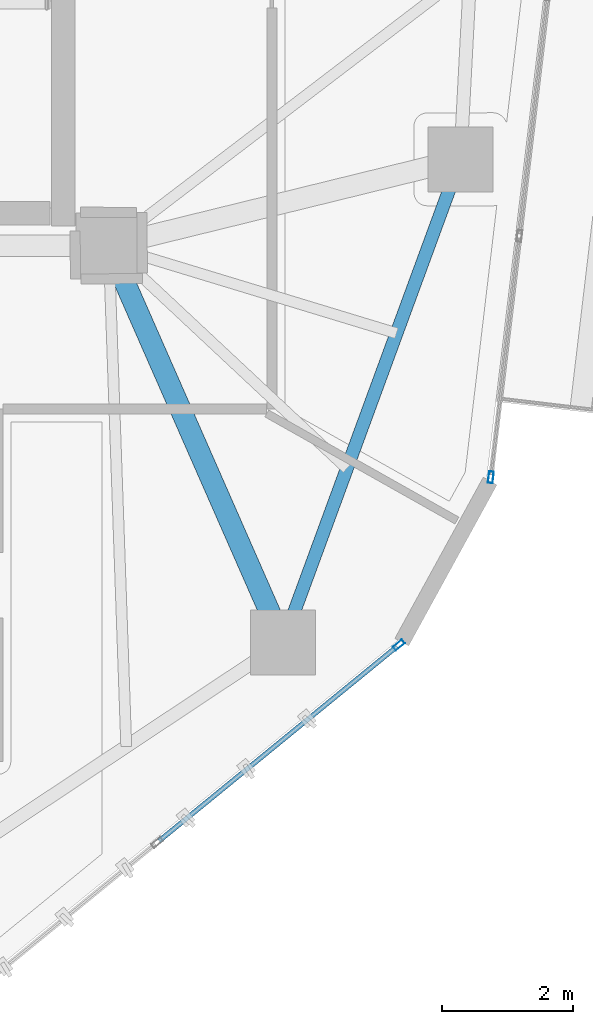
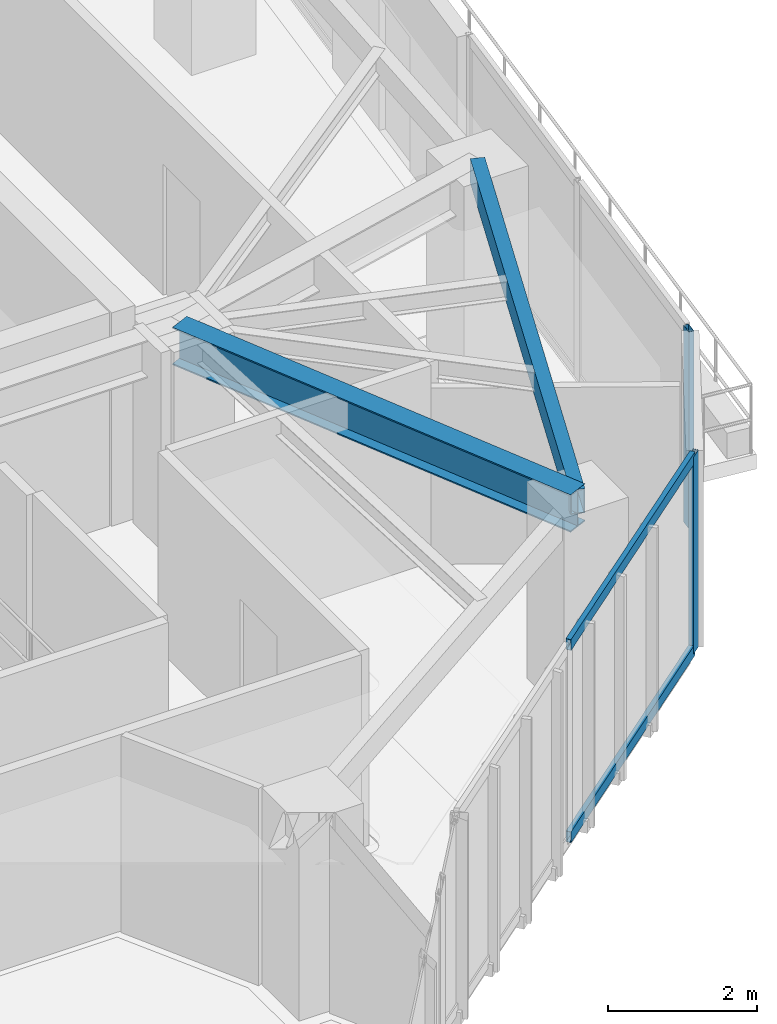
# One storey, part 7 of 22: 4 members, 2 beams, 2 elements without a shape of their own.
"""IFC4 building model written with IfcOpenShell, lengths in metres."""

import ifcopenshell
import ifcopenshell.guid

model = None  # the IFC model being written
_history = None  # IfcOwnerHistory: only IFC2X3 demands one
_inside = {}  # id of a spatial element -> (the spatial element, [elements in it])
_under = {}  # id of a project, library or spatial element -> (it, [spatial elements below it])
_declared = {}  # id of a project -> (the project, [libraries it declares])
_typed = {}  # id of a type object -> (the type object, [elements of that type])
_made_of = {}  # id of a material, layer set ... -> (it, [elements and type objects made of it])


def new_model(schema):
    """Start an empty IFC model of exactly this schema.

    Asked for "IFC4X3", IfcOpenShell would pick the latest addendum, in which some entities
    have other attributes; the version numbers below select the first issue.
    IFC2X3 requires an IfcOwnerHistory on every rooted entity: one is made here for all.
    """
    global model, _history
    if schema == "IFC4X3":
        model = ifcopenshell.file(schema_version=(4, 3, 0, 0))
    else:
        model = ifcopenshell.file(schema=schema)
    _inside.clear()
    _under.clear()
    _declared.clear()
    _typed.clear()
    _made_of.clear()
    _history = None
    if model.schema == "IFC2X3":
        org = make("IfcOrganization", Name="unknown")
        user = make(
            "IfcPersonAndOrganization",
            ThePerson=make("IfcPerson", FamilyName="unknown"),
            TheOrganization=org,
        )
        app = make(
            "IfcApplication",
            ApplicationDeveloper=org,
            Version="unknown",
            ApplicationFullName="unknown",
            ApplicationIdentifier="unknown",
        )
        _history = make(
            "IfcOwnerHistory",
            OwningUser=user,
            OwningApplication=app,
            ChangeAction="ADDED",
            CreationDate=0,
        )
    return model


def make(cls, **values):
    """One entity of the class cls with the attributes given. An attribute that is None is left unset."""
    return model.create_entity(
        cls, **{name: value for name, value in values.items() if value is not None}
    )


def rooted(cls, **values):
    """An entity with a GlobalId (a new one), such as an element, a storey or a relation."""
    return make(cls, GlobalId=ifcopenshell.guid.new(), OwnerHistory=_history, **values)


def si_unit(unit_type, name, prefix=None):
    """IfcSIUnit, for example si_unit("LENGTHUNIT", "METRE", prefix="MILLI")."""
    return make("IfcSIUnit", UnitType=unit_type, Prefix=prefix, Name=name)


def assignment(units):
    """IfcUnitAssignment: the units of a project."""
    return None if units is None else make("IfcUnitAssignment", Units=units)


def point(xyz):
    """IfcCartesianPoint."""
    return None if xyz is None else make("IfcCartesianPoint", Coordinates=xyz)


def direction(xyz):
    """IfcDirection."""
    return None if xyz is None else make("IfcDirection", DirectionRatios=xyz)


def frame(location, z_axis=None, x_axis=None):
    """IfcAxis2Placement3D, a coordinate frame: its origin and axes. An axis left out is left unset."""
    return make(
        "IfcAxis2Placement3D",
        Location=point(location),
        Axis=direction(z_axis),
        RefDirection=direction(x_axis),
    )


def frame_2d(location, x_axis=None):
    """IfcAxis2Placement2D, a coordinate frame in the plane: its origin and x axis."""
    return make(
        "IfcAxis2Placement2D", Location=point(location), RefDirection=direction(x_axis)
    )


def origin():
    """The frame at (0, 0, 0) with its axes left unset."""
    return frame((0.0, 0.0, 0.0))


def origin_2d():
    """The frame at (0, 0) in the plane with its x axis left unset."""
    return frame_2d((0.0, 0.0))


def place(relative_to, where):
    """IfcLocalPlacement: puts the frame where relative to a parent placement (None: the world)."""
    return make(
        "IfcLocalPlacement", PlacementRelTo=relative_to, RelativePlacement=where
    )


def context(
    kind, dimensions, precision=None, world=None, true_north=None, identifier=None
):
    """IfcGeometricRepresentationContext, for example the 3D "Model" context."""
    return make(
        "IfcGeometricRepresentationContext",
        ContextIdentifier=identifier,
        ContextType=kind,
        CoordinateSpaceDimension=dimensions,
        Precision=precision,
        WorldCoordinateSystem=world,
        TrueNorth=true_north,
    )


def subcontext(parent, identifier, kind, view, scale=None):
    """IfcGeometricRepresentationSubContext, for example "Body" below "Model"."""
    return make(
        "IfcGeometricRepresentationSubContext",
        ContextIdentifier=identifier,
        ContextType=kind,
        ParentContext=parent,
        TargetScale=scale,
        TargetView=view,
    )


def project(units=None, contexts=None):
    """IfcProject with its units and contexts."""
    return rooted(
        "IfcProject",
        Name="project",
        RepresentationContexts=contexts,
        UnitsInContext=assignment(units),
    )


def spatial(cls, under=None, at=None, **own):
    """A site, building, storey or space (cls), placed at a placement, below another one or the project."""
    s = rooted(cls, ObjectPlacement=at, **own)
    if under is not None:
        _under.setdefault(under.id(), (under, []))[1].append(s)
    return s


def profile(cls, at=None, kind="AREA", **sizes):
    """A parametric profile (cls). Its sizes go by their IFC names, for example OverallWidth=200.0."""
    return make(cls, ProfileType=kind, Position=at, **sizes)


def hollow_rectangle(**sizes):
    """IfcRectangleHollowProfileDef."""
    return profile("IfcRectangleHollowProfileDef", **sizes)


def i_section(**sizes):
    """IfcIShapeProfileDef."""
    return profile("IfcIShapeProfileDef", **sizes)


def extrude(swept, where, along, depth):
    """IfcExtrudedAreaSolid: the profile swept, set in the frame where, extruded along a direction by depth."""
    return make(
        "IfcExtrudedAreaSolid",
        SweptArea=swept,
        Position=where,
        ExtrudedDirection=direction(along),
        Depth=depth,
    )


def shape(context_of_items, identifier, shape_type, items):
    """IfcShapeRepresentation: the items that make up one representation, for example the "Body"."""
    return make(
        "IfcShapeRepresentation",
        ContextOfItems=context_of_items,
        RepresentationIdentifier=identifier,
        RepresentationType=shape_type,
        Items=items,
    )


def source(mapping_origin, context_of_items, identifier, shape_type, items):
    """IfcRepresentationMap: a shape defined once, which mapped items show again and again."""
    return make(
        "IfcRepresentationMap",
        MappingOrigin=mapping_origin,
        MappedRepresentation=shape(context_of_items, identifier, shape_type, items),
    )


def transform(
    local_origin,
    x_axis=None,
    y_axis=None,
    z_axis=None,
    scale=None,
    scale2=None,
    scale3=None,
    uniform=True,
):
    """IfcCartesianTransformationOperator3D, or its non-uniform kind. x_axis, y_axis, z_axis: its Axis1, 2, 3."""
    if uniform:
        return make(
            "IfcCartesianTransformationOperator3D",
            Axis1=direction(x_axis),
            Axis2=direction(y_axis),
            LocalOrigin=point(local_origin),
            Scale=scale,
            Axis3=direction(z_axis),
        )
    return make(
        "IfcCartesianTransformationOperator3DnonUniform",
        Axis1=direction(x_axis),
        Axis2=direction(y_axis),
        LocalOrigin=point(local_origin),
        Scale=scale,
        Axis3=direction(z_axis),
        Scale2=scale2,
        Scale3=scale3,
    )


def mapped(mapping_source, mapping_target):
    """IfcMappedItem: shows the shape of a source again, moved by a transform."""
    return make(
        "IfcMappedItem", MappingSource=mapping_source, MappingTarget=mapping_target
    )


def material(Name=None, Category=None):
    """IfcMaterial."""
    return make("IfcMaterial", Name=Name, Category=Category)


def layer(
    of_material, thickness, ventilated=None, Name=None, Category=None, Priority=None
):
    """IfcMaterialLayer: one layer of a wall or slab, of a material (None: an air gap)."""
    return make(
        "IfcMaterialLayer",
        Material=of_material,
        LayerThickness=thickness,
        IsVentilated=ventilated,
        Name=Name,
        Category=Category,
        Priority=Priority,
    )


def layer_set(layers, Name=None):
    """IfcMaterialLayerSet."""
    return make("IfcMaterialLayerSet", MaterialLayers=layers, LayerSetName=Name)


def material_profile(
    of_material, cross_section, Name=None, Category=None, Priority=None
):
    """IfcMaterialProfile: a cross section and its material."""
    return make(
        "IfcMaterialProfile",
        Name=Name,
        Material=of_material,
        Profile=cross_section,
        Priority=Priority,
        Category=Category,
    )


def profile_set(profiles, Name=None, composite=None):
    """IfcMaterialProfileSet."""
    return make(
        "IfcMaterialProfileSet",
        Name=Name,
        MaterialProfiles=profiles,
        CompositeProfile=composite,
    )


def made_of(thing, what):
    """Note that an element or type object is made of a material, layer set ...; save() writes the relation."""
    if what is not None:
        _made_of.setdefault(what.id(), (what, []))[1].append(thing)
    return thing


def type_object(cls, material=None, **own):
    """A type object (cls), such as IfcWallType, which elements share."""
    return made_of(rooted(cls, **own), material)


def type_shapes(of_type, sources):
    """Give a type object the sources (RepresentationMaps) that its elements show as mapped items."""
    of_type.RepresentationMaps = sources


def element(
    cls,
    number,
    at=None,
    inside=None,
    cuts=None,
    type_object=None,
    material=None,
    context=None,
    identifier="Body",
    shape_type=None,
    held_by="IfcProductDefinitionShape",
    body=None,
    shapes=None,
    **own,
):
    """One element of the class cls, such as IfcWall. Its Tag is "e" and its number.

    at: its placement. inside: the storey or other place that contains it. cuts: it is an
    opening in that element (IfcRelVoidsElement). A single representation is given by context,
    identifier, shape_type and body (its items); several are given by shapes. held_by: the class
    of the entity that holds the representations. save() writes the other relations.
    """
    e = rooted(cls, Tag="e%d" % number, ObjectPlacement=at, **own)
    if body is not None:
        shapes = [shape(context, identifier, shape_type, body)]
    if shapes is not None:
        e.Representation = make(held_by, Representations=shapes)
    if inside is not None:
        _inside.setdefault(inside.id(), (inside, []))[1].append(e)
    if cuts is not None:
        rooted(
            "IfcRelVoidsElement", RelatingBuildingElement=cuts, RelatedOpeningElement=e
        )
    if type_object is not None:
        _typed.setdefault(type_object.id(), (type_object, []))[1].append(e)
    return made_of(e, material)


def aggregate(whole, parts):
    """IfcRelAggregates: a whole, such as a stair, and the parts it consists of."""
    return rooted("IfcRelAggregates", RelatingObject=whole, RelatedObjects=parts)


def save(model, path):
    """Write the relations noted so far, then the file.

    IfcRelAggregates (storeys below a building ...), IfcRelContainedInSpatialStructure (elements
    in a storey), IfcRelDefinesByType, IfcRelAssociatesMaterial and IfcRelDeclares: one each for
    every whole, place, type object, material and project.
    """
    for whole, parts in _under.values():
        aggregate(whole, parts)
    for where, things in _inside.values():
        rooted(
            "IfcRelContainedInSpatialStructure",
            RelatedElements=things,
            RelatingStructure=where,
        )
    for kind, things in _typed.values():
        rooted("IfcRelDefinesByType", RelatedObjects=things, RelatingType=kind)
    for what, things in _made_of.values():
        rooted("IfcRelAssociatesMaterial", RelatedObjects=things, RelatingMaterial=what)
    for by, libraries in _declared.values():
        rooted("IfcRelDeclares", RelatingContext=by, RelatedDefinitions=libraries)
    model.write(path)


model = new_model("IFC4")

# Units and contexts
model_context = context("Model", 3, precision=1e-05, world=origin(), true_north=direction((0.0, 1.0)))
body_context = subcontext(model_context, "Body", "Model", "MODEL_VIEW")
ifc_project = project(units=[si_unit("LENGTHUNIT", "METRE"), si_unit("AREAUNIT", "SQUARE_METRE"), si_unit("VOLUMEUNIT", "CUBIC_METRE"), si_unit("PLANEANGLEUNIT", "RADIAN"), si_unit("MASSUNIT", "GRAM", prefix="KILO")], contexts=[model_context])

# Site, building, storey
site_placement = place(None, origin())
site = spatial("IfcSite", under=ifc_project, at=site_placement, CompositionType="ELEMENT")
building_placement = place(site_placement, origin())
building = spatial("IfcBuilding", under=site, at=building_placement, Name="Talar Marvaseh", CompositionType="ELEMENT")
storey_placement = place(building_placement, frame((0.0, 0.0, 229.199951171875)))
storey = spatial("IfcBuildingStorey", under=building, at=storey_placement, Name="L60", CompositionType="ELEMENT", Elevation=229.199951171875)

# Beams
ifc_material_1 = material(Name="Steel S355", Category="steel")
ifc_material_profile_1 = material_profile(ifc_material_1, hollow_rectangle(XDim=0.199951171875, YDim=0.39990234375, WallThickness=0.013916015625, at=origin_2d()), Name="RHS400x200x14")
ifc_profile_set_1 = profile_set([ifc_material_profile_1], Name="Steel S355")
beam_type_1 = type_object("IfcBeamType", Name="Zone 3 Perimeter Spandrel Beam RHS400x200x14", PredefinedType="SPANDREL", material=ifc_profile_set_1)
beam_1_placement = place(storey_placement, frame((38.68896484375, 26.823974609375, 3.030029296875), z_axis=(-0.344742291376, -0.938697370049, 0.0), x_axis=(0.938697370049, -0.344742291376, 0.0)))
element("IfcBeam", 1, at=beam_1_placement, inside=storey, type_object=beam_type_1, Name="L60 Zone 3 Perimeter Spandrel Beam RHS400x200x14", PredefinedType="SPANDREL", context=body_context, shape_type="SweptSolid", body=[
    extrude(hollow_rectangle(XDim=0.199951171875, YDim=0.39990234375, WallThickness=0.013916015625, at=origin_2d()), origin(), (0.0, 0.0, 1.0), 7.88427734375),
])
ifc_material_profile_2 = material_profile(ifc_material_1, i_section(OverallWidth=0.324951171875, OverallDepth=0.615966796875, WebThickness=0.013916015625, FlangeThickness=0.021484375, at=origin_2d()), Name="W610x174")
ifc_profile_set_2 = profile_set([ifc_material_profile_2], Name="Steel S355")
beam_type_2 = type_object("IfcBeamType", Name="Zone 3 Radial Floor Girder W610x174", PredefinedType="BEAM", material=ifc_profile_set_2)
beam_2_placement = place(storey_placement, frame((35.970947265625, 19.423095703125, 2.922119140625), z_axis=(-0.402367581672, 0.91547819702, 0.0), x_axis=(-0.91547819702, -0.402367581672, 0.0)))
element("IfcBeam", 2, at=beam_2_placement, inside=storey, type_object=beam_type_2, Name="L60 Zone 3 Radial Floor Girder W610x174", PredefinedType="BEAM", context=body_context, shape_type="SweptSolid", body=[
    extrude(i_section(OverallWidth=0.324951171875, OverallDepth=0.615966796875, WebThickness=0.013916015625, FlangeThickness=0.021484375, at=origin_2d()), origin(), (0.0, 0.0, 1.0), 6.637939453125),
])

# Curtain wall, member
ifc_material_2 = material(Name="Architectural Aluminium", Category="aluminium")
ifc_layer = layer(ifc_material_2, 0.18994140625)
ifc_layer_set = layer_set([ifc_layer], Name="Architectural Aluminium")
curtain_wall_type = type_object("IfcCurtainWallType", Name="Unitised Solar Atelier Curtain Wall Z3", PredefinedType="NOTDEFINED", material=ifc_layer_set)
curtain_wall_1_placement = place(storey_placement, origin())
curtain_wall_1 = element("IfcCurtainWall", 3, at=curtain_wall_1_placement, inside=storey, type_object=curtain_wall_type, Name="L60 Unitised Solar Atelier Curtain Wall Z3", PredefinedType="NOTDEFINED")
ifc_material_profile_3 = material_profile(ifc_material_2, hollow_rectangle(XDim=0.074951171875, YDim=0.179931640625, WallThickness=0.0048828125, at=origin_2d()), Name="RHS180x75x5")
ifc_profile_set_3 = profile_set([ifc_material_profile_3], Name="Architectural Aluminium")
member_type_1 = type_object("IfcMemberType", Name="Unitised Curtain Wall Standard Mullion RHS180x75x5", PredefinedType="MULLION", material=ifc_profile_set_3)
shared_shape_1 = source(origin(), body_context, "Body", "SweptSolid", [
    extrude(hollow_rectangle(XDim=0.074951171875, YDim=0.179931640625, WallThickness=0.0048828125, at=origin_2d()), origin(), (0.0, 0.0, 1.0), 3.22998046875),
])
type_shapes(member_type_1, [shared_shape_1])
member_1_placement = place(storey_placement, frame((39.15576171875, 21.953125, 0.0), z_axis=(0.0, 0.0, 1.0), x_axis=(0.993050517361, -0.117688869355, 0.0)))
member_1 = element("IfcMember", 4, at=member_1_placement, type_object=member_type_1, Name="CW-Z3 mullion 3", PredefinedType="MULLION", context=body_context, shape_type="MappedRepresentation", body=[
    mapped(shared_shape_1, transform((0.0, 0.0, 0.0), x_axis=(1.0, 0.0, 0.0), y_axis=(0.0, 1.0, 0.0), z_axis=(0.0, 0.0, 1.0), scale=1.0)),
])
aggregate(curtain_wall_1, [member_1])

# Curtain wall, members
curtain_wall_2_placement = place(storey_placement, origin())
curtain_wall_2 = element("IfcCurtainWall", 5, at=curtain_wall_2_placement, inside=storey, type_object=curtain_wall_type, Name="L60 Unitised Solar Atelier Curtain Wall Z3", PredefinedType="NOTDEFINED")
member_2_placement = place(storey_placement, frame((37.746826171875, 19.384765625, 0.0), z_axis=(0.0, 0.0, 1.0), x_axis=(0.632822116312, -0.774297209801, 0.0)))
member_2 = element("IfcMember", 6, at=member_2_placement, type_object=member_type_1, Name="CW-Z3 mullion 1", PredefinedType="MULLION", context=body_context, shape_type="MappedRepresentation", body=[
    mapped(shared_shape_1, transform((0.0, 0.0, 0.0), x_axis=(1.0, 0.0, 0.0), y_axis=(0.0, 1.0, 0.0), z_axis=(0.0, 0.0, 1.0), scale=1.0)),
])
ifc_material_profile_4 = material_profile(ifc_material_2, hollow_rectangle(XDim=0.074951171875, YDim=0.179931640625, WallThickness=0.0048828125, at=origin_2d()), Name="RHS180x75x5")
ifc_profile_set_4 = profile_set([ifc_material_profile_4], Name="Architectural Aluminium")
member_type_2 = type_object("IfcMemberType", Name="Unitised Curtain Wall Transom RHS180x75x5", PredefinedType="USERDEFINED", material=ifc_profile_set_4)
shared_shape_2 = source(origin(), body_context, "Body", "SweptSolid", [
    extrude(hollow_rectangle(XDim=0.074951171875, YDim=0.179931640625, WallThickness=0.0048828125, at=origin_2d()), origin(), (0.0, 0.0, 1.0), 4.709716796875),
])
type_shapes(member_type_2, [shared_shape_2])
member_3_placement = place(storey_placement, frame((37.7177734375, 19.36083984375, 0.03759765625), z_axis=(-0.774317479858, -0.632797313827, 0.0), x_axis=(0.632797313827, -0.774317479858, 0.0)))
member_3 = element("IfcMember", 7, at=member_3_placement, type_object=member_type_2, Name="CW-Z3 transom 1.1", ObjectType="TRANSOM", PredefinedType="USERDEFINED", context=body_context, shape_type="MappedRepresentation", body=[
    mapped(shared_shape_2, transform((0.0, 0.0, 0.0), x_axis=(1.0, 0.0, 0.0), y_axis=(0.0, 1.0, 0.0), z_axis=(0.0, 0.0, 1.0), scale=1.0)),
])
member_4_placement = place(storey_placement, frame((37.7177734375, 19.36083984375, 3.192626953125), z_axis=(-0.774317479858, -0.632797313827, 0.0), x_axis=(0.632797313827, -0.774317479858, 0.0)))
member_4 = element("IfcMember", 8, at=member_4_placement, type_object=member_type_2, Name="CW-Z3 transom 1.2", ObjectType="TRANSOM", PredefinedType="USERDEFINED", context=body_context, shape_type="MappedRepresentation", body=[
    mapped(shared_shape_2, transform((0.0, 0.0, 0.0), x_axis=(1.0, 0.0, 0.0), y_axis=(0.0, 1.0, 0.0), z_axis=(0.0, 0.0, 1.0), scale=1.0)),
])
aggregate(curtain_wall_2, [member_2, member_3, member_4])

save(model, "model.ifc")
